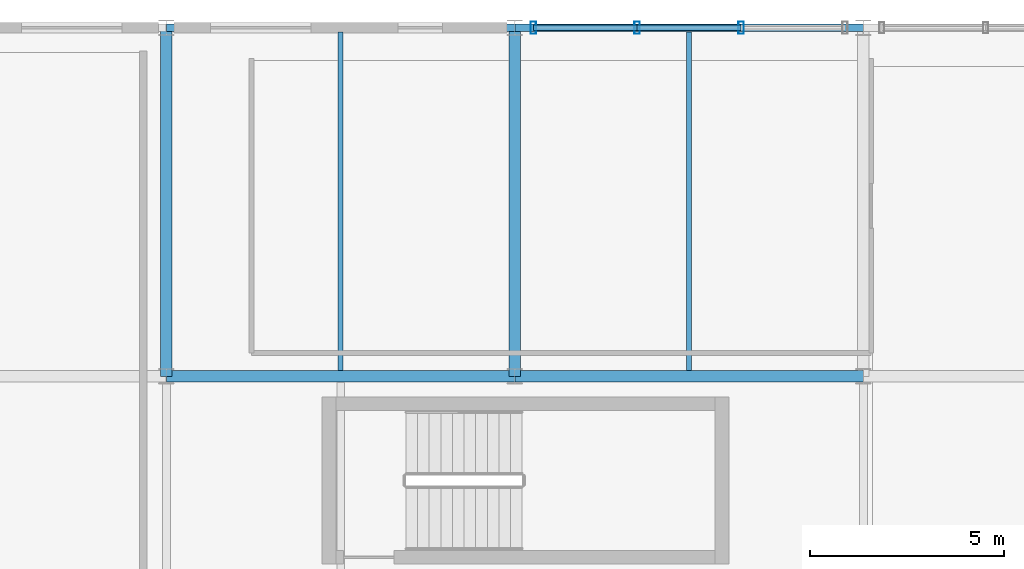
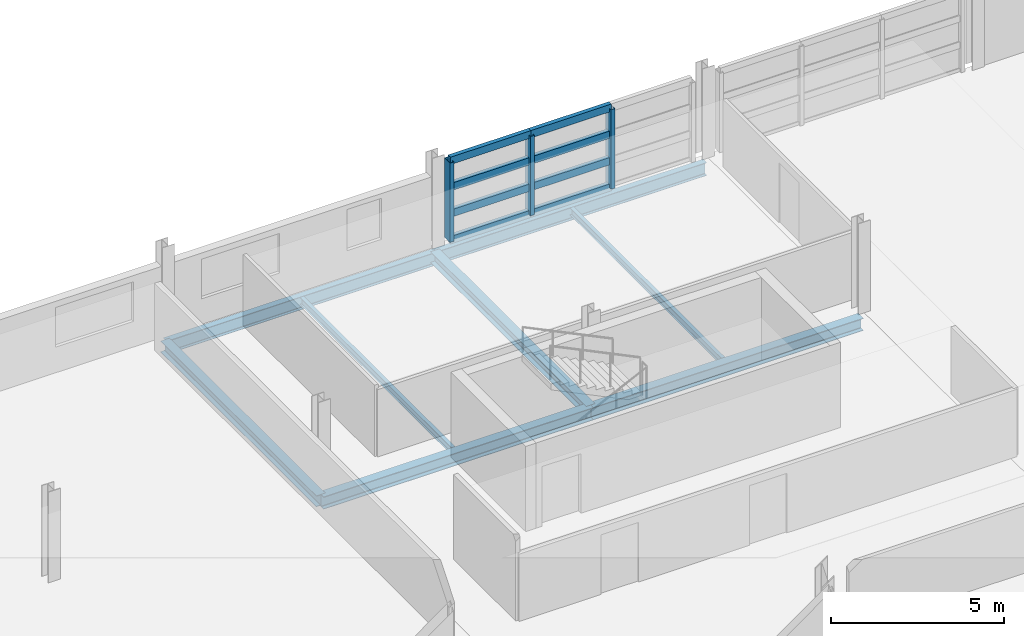
# One storey, part 51 of 86: 11 members, 8 beams, 1 element without a shape of its own.
"""IFC4 building model written with IfcOpenShell, lengths in metres."""

from ifc_helpers import new_model, si_unit, direction, frame, origin, origin_2d, place, context, subcontext, project, spatial, hollow_rectangle, i_section, extrude, material, material_profile, profile_set, type_object, element, aggregate, save


model = new_model("IFC4")

# Units and contexts
model_context = context("Model", 3, precision=1e-05, world=origin(), true_north=direction((0.0, 1.0)))
body_context = subcontext(model_context, "Body", "Model", "MODEL_VIEW")
ifc_project = project(units=[si_unit("LENGTHUNIT", "METRE"), si_unit("AREAUNIT", "SQUARE_METRE"), si_unit("VOLUMEUNIT", "CUBIC_METRE"), si_unit("PLANEANGLEUNIT", "RADIAN"), si_unit("MASSUNIT", "GRAM", prefix="KILO")], contexts=[model_context])

# Site, building, storey
site_placement = place(None, origin())
site = spatial("IfcSite", under=ifc_project, at=site_placement, CompositionType="ELEMENT")
building_placement = place(site_placement, origin())
building = spatial("IfcBuilding", under=site, at=building_placement, Name="Chuanluo Vaults Station", CompositionType="ELEMENT")
storey_placement = place(building_placement, frame((0.0, 0.0, 14.39990234375)))
storey = spatial("IfcBuildingStorey", under=building, at=storey_placement, Name="L03", CompositionType="ELEMENT", Elevation=14.39990234375)

# Beams
ifc_material_1 = material(Name="Steel Q355C", Category="steel")
ifc_material_profile_1 = material_profile(ifc_material_1, i_section(OverallWidth=0.300048828125, OverallDepth=0.389892578125, WebThickness=0.010009765625, FlangeThickness=0.01611328125, FilletRadius=0.02001953125, at=origin_2d()))
ifc_profile_set_1 = profile_set([ifc_material_profile_1], Name="Steel Q355C")
beam_type_1 = type_object("IfcBeamType", Name="BM-GRD-400", PredefinedType="BEAM", material=ifc_profile_set_1)
for number, where, z_axis, x_axis, name in (
    (1, (145.0, 117.0, -0.414794921875), (0.0, 1.0, 0.0), (-1.0, 0.0, 0.0), "Floor girder BM:GY:L03:0794"),
    (2, (154.0, 117.0, -0.414794921875), (0.0, 1.0, 0.0), (-1.0, 0.0, 0.0), "Floor girder BM:GY:L03:0803"),
):
    element("IfcBeam", number, at=place(storey_placement, frame(where, z_axis=z_axis, x_axis=x_axis)), inside=storey, type_object=beam_type_1, Name=name, PredefinedType="BEAM", context=body_context, shape_type="SweptSolid", body=[
        extrude(i_section(OverallWidth=0.300048828125, OverallDepth=0.389892578125, WebThickness=0.010009765625, FlangeThickness=0.01611328125, FilletRadius=0.02001953125, at=origin_2d()), origin(), (0.0, 0.0, 1.0), 9.0),
    ])
ifc_material_2 = material(Name="Steel Q355C", Category="steel")
ifc_material_profile_2 = material_profile(ifc_material_2, i_section(OverallWidth=0.300048828125, OverallDepth=0.43994140625, WebThickness=0.010986328125, FlangeThickness=0.01806640625, FilletRadius=0.02001953125, at=origin_2d()))
ifc_profile_set_2 = profile_set([ifc_material_profile_2], Name="Steel Q355C")
beam_type_2 = type_object("IfcBeamType", Name="BM-GRD-450", PredefinedType="USERDEFINED", material=ifc_profile_set_2)
for number, where, z_axis, x_axis, name in (
    (3, (145.0, 117.0, -0.43994140625), (1.0, 0.0, 0.0), (0.0, 1.0, 0.0), "Floor girder BM:GX:L03:0764"),
    (4, (154.0, 117.0, -0.43994140625), (1.0, 0.0, 0.0), (0.0, 1.0, 0.0), "Floor girder BM:GX:L03:0765"),
):
    element("IfcBeam", number, at=place(storey_placement, frame(where, z_axis=z_axis, x_axis=x_axis)), inside=storey, type_object=beam_type_2, Name=name, ObjectType="GIRDER", PredefinedType="USERDEFINED", context=body_context, shape_type="SweptSolid", body=[
        extrude(i_section(OverallWidth=0.300048828125, OverallDepth=0.43994140625, WebThickness=0.010986328125, FlangeThickness=0.01806640625, FilletRadius=0.02001953125, at=origin_2d()), origin(), (0.0, 0.0, 1.0), 9.0),
    ])
ifc_material_3 = material(Name="Steel Q355C", Category="steel")
ifc_material_profile_3 = material_profile(ifc_material_3, i_section(OverallWidth=0.125, OverallDepth=0.25, WebThickness=0.006103515625, FlangeThickness=0.009033203125, FilletRadius=0.011962890625, at=origin_2d()))
ifc_profile_set_3 = profile_set([ifc_material_profile_3], Name="Steel Q355C")
beam_type_3 = type_object("IfcBeamType", Name="BM-SEC-250", PredefinedType="JOIST", material=ifc_profile_set_3)
for number, where, z_axis, x_axis, name in (
    (5, (149.5, 117.155029296875, -0.344970703125), (0.0, 1.0, 0.0), (-1.0, 0.0, 0.0), "Composite secondary joist 0243"),
    (6, (158.5, 117.155029296875, -0.344970703125), (0.0, 1.0, 0.0), (-1.0, 0.0, 0.0), "Composite secondary joist 0249"),
):
    element("IfcBeam", number, at=place(storey_placement, frame(where, z_axis=z_axis, x_axis=x_axis)), inside=storey, type_object=beam_type_3, Name=name, PredefinedType="JOIST", context=body_context, shape_type="SweptSolid", body=[
        extrude(i_section(OverallWidth=0.125, OverallDepth=0.25, WebThickness=0.006103515625, FlangeThickness=0.009033203125, FilletRadius=0.011962890625, at=origin_2d()), origin(), (0.0, 0.0, 1.0), 8.737548828125),
    ])
ifc_material_4 = material(Name="Steel Q355C", Category="steel")
ifc_material_profile_4 = material_profile(ifc_material_4, i_section(OverallWidth=0.205078125, OverallDepth=0.4599609375, WebThickness=0.009033203125, FlangeThickness=0.013916015625, FilletRadius=0.01611328125, at=origin_2d()))
ifc_profile_set_4 = profile_set([ifc_material_profile_4], Name="Steel Q355C")
beam_type_4 = type_object("IfcBeamType", Name="BM-SPN-450", PredefinedType="SPANDREL", material=ifc_profile_set_4)
for number, where, z_axis, x_axis, name in (
    (7, (145.0, 126.0, -0.449951171875), (1.0, 0.0, 0.0), (0.0, 1.0, 0.0), "Floor girder BM:GX:L03:0771"),
    (8, (154.0, 126.0, -0.449951171875), (1.0, 0.0, 0.0), (0.0, 1.0, 0.0), "Floor girder BM:GX:L03:0772"),
):
    element("IfcBeam", number, at=place(storey_placement, frame(where, z_axis=z_axis, x_axis=x_axis)), inside=storey, type_object=beam_type_4, Name=name, PredefinedType="SPANDREL", context=body_context, shape_type="SweptSolid", body=[
        extrude(i_section(OverallWidth=0.205078125, OverallDepth=0.4599609375, WebThickness=0.009033203125, FlangeThickness=0.013916015625, FilletRadius=0.01611328125, at=origin_2d()), origin(), (0.0, 0.0, 1.0), 9.0),
    ])

# Curtain wall, members
ifc_material_5 = material(Name="Anodised aluminium 6063-T6", Category="aluminium")
curtain_wall_type = type_object("IfcCurtainWallType", Name="CW-SYS-05", PredefinedType="NOTDEFINED", material=ifc_material_5)
curtain_wall_placement = place(storey_placement, origin())
curtain_wall = element("IfcCurtainWall", 9, at=curtain_wall_placement, inside=storey, type_object=curtain_wall_type, Name="Operations L03 facade CW", PredefinedType="NOTDEFINED")
ifc_material_6 = material(Name="Anodised aluminium 6063-T6", Category="aluminium")
ifc_material_profile_5 = material_profile(ifc_material_6, hollow_rectangle(XDim=0.139892578125, YDim=0.320068359375, WallThickness=0.008056640625, at=origin_2d()))
ifc_profile_set_5 = profile_set([ifc_material_profile_5], Name="Anodised aluminium 6063-T6")
member_type_1 = type_object("IfcMemberType", Name="CWM-220", PredefinedType="MULLION", material=ifc_profile_set_5)
member_1_placement = place(storey_placement, frame((154.47509765625, 126.0, 0.0), z_axis=(0.0, 0.0, 1.0), x_axis=(1.0, 0.0, 0.0)))
member_1 = element("IfcMember", 10, at=member_1_placement, type_object=member_type_1, Name="Operations L03 facade CW mullion 1", PredefinedType="MULLION", context=body_context, shape_type="SweptSolid", body=[
    extrude(hollow_rectangle(XDim=0.139892578125, YDim=0.320068359375, WallThickness=0.008056640625, at=origin_2d()), origin(), (0.0, 0.0, 1.0), 2.800048828125),
])
member_2_placement = place(storey_placement, frame((157.158203125, 126.0, 0.0), z_axis=(0.0, 0.0, 1.0), x_axis=(1.0, 0.0, 0.0)))
member_2 = element("IfcMember", 11, at=member_2_placement, type_object=member_type_1, Name="Operations L03 facade CW mullion 2", PredefinedType="MULLION", context=body_context, shape_type="SweptSolid", body=[
    extrude(hollow_rectangle(XDim=0.139892578125, YDim=0.320068359375, WallThickness=0.008056640625, at=origin_2d()), origin(), (0.0, 0.0, 1.0), 2.800048828125),
])
member_3_placement = place(storey_placement, frame((159.841796875, 126.0, 0.0), z_axis=(0.0, 0.0, 1.0), x_axis=(1.0, 0.0, 0.0)))
member_3 = element("IfcMember", 12, at=member_3_placement, type_object=member_type_1, Name="Operations L03 facade CW mullion 3", PredefinedType="MULLION", context=body_context, shape_type="SweptSolid", body=[
    extrude(hollow_rectangle(XDim=0.139892578125, YDim=0.320068359375, WallThickness=0.008056640625, at=origin_2d()), origin(), (0.0, 0.0, 1.0), 2.800048828125),
])
ifc_material_7 = material(Name="Anodised aluminium 6063-T6", Category="aluminium")
ifc_material_profile_6 = material_profile(ifc_material_7, hollow_rectangle(XDim=0.139892578125, YDim=0.260009765625, WallThickness=0.007080078125, at=origin_2d()))
ifc_profile_set_6 = profile_set([ifc_material_profile_6], Name="Anodised aluminium 6063-T6")
member_type_2 = type_object("IfcMemberType", Name="CWT-180", PredefinedType="USERDEFINED", material=ifc_profile_set_6)
member_4_placement = place(storey_placement, frame((154.47509765625, 126.0, 0.0), z_axis=(1.0, 0.0, 0.0), x_axis=(0.0, 1.0, 0.0)))
member_4 = element("IfcMember", 13, at=member_4_placement, type_object=member_type_2, Name="Operations L03 facade CW transom 1.1", ObjectType="TRANSOM", PredefinedType="USERDEFINED", context=body_context, shape_type="SweptSolid", body=[
    extrude(hollow_rectangle(XDim=0.139892578125, YDim=0.260009765625, WallThickness=0.007080078125, at=origin_2d()), origin(), (0.0, 0.0, 1.0), 2.68310546875),
])
member_5_placement = place(storey_placement, frame((154.47509765625, 126.0, 0.933349609375), z_axis=(1.0, 0.0, 0.0), x_axis=(0.0, 1.0, 0.0)))
member_5 = element("IfcMember", 14, at=member_5_placement, type_object=member_type_2, Name="Operations L03 facade CW transom 1.2", ObjectType="TRANSOM", PredefinedType="USERDEFINED", context=body_context, shape_type="SweptSolid", body=[
    extrude(hollow_rectangle(XDim=0.139892578125, YDim=0.260009765625, WallThickness=0.007080078125, at=origin_2d()), origin(), (0.0, 0.0, 1.0), 2.68310546875),
])
member_6_placement = place(storey_placement, frame((154.47509765625, 126.0, 1.86669921875), z_axis=(1.0, 0.0, 0.0), x_axis=(0.0, 1.0, 0.0)))
member_6 = element("IfcMember", 15, at=member_6_placement, type_object=member_type_2, Name="Operations L03 facade CW transom 1.3", ObjectType="TRANSOM", PredefinedType="USERDEFINED", context=body_context, shape_type="SweptSolid", body=[
    extrude(hollow_rectangle(XDim=0.139892578125, YDim=0.260009765625, WallThickness=0.007080078125, at=origin_2d()), origin(), (0.0, 0.0, 1.0), 2.68310546875),
])
member_7_placement = place(storey_placement, frame((154.47509765625, 126.0, 2.800048828125), z_axis=(1.0, 0.0, 0.0), x_axis=(0.0, 1.0, 0.0)))
member_7 = element("IfcMember", 16, at=member_7_placement, type_object=member_type_2, Name="Operations L03 facade CW transom 1.4", ObjectType="TRANSOM", PredefinedType="USERDEFINED", context=body_context, shape_type="SweptSolid", body=[
    extrude(hollow_rectangle(XDim=0.139892578125, YDim=0.260009765625, WallThickness=0.007080078125, at=origin_2d()), origin(), (0.0, 0.0, 1.0), 2.68310546875),
])
member_8_placement = place(storey_placement, frame((157.158203125, 126.0, 0.0), z_axis=(1.0, 0.0, 0.0), x_axis=(0.0, 1.0, 0.0)))
member_8 = element("IfcMember", 17, at=member_8_placement, type_object=member_type_2, Name="Operations L03 facade CW transom 2.1", ObjectType="TRANSOM", PredefinedType="USERDEFINED", context=body_context, shape_type="SweptSolid", body=[
    extrude(hollow_rectangle(XDim=0.139892578125, YDim=0.260009765625, WallThickness=0.007080078125, at=origin_2d()), origin(), (0.0, 0.0, 1.0), 2.68359375),
])
member_9_placement = place(storey_placement, frame((157.158203125, 126.0, 0.933349609375), z_axis=(1.0, 0.0, 0.0), x_axis=(0.0, 1.0, 0.0)))
member_9 = element("IfcMember", 18, at=member_9_placement, type_object=member_type_2, Name="Operations L03 facade CW transom 2.2", ObjectType="TRANSOM", PredefinedType="USERDEFINED", context=body_context, shape_type="SweptSolid", body=[
    extrude(hollow_rectangle(XDim=0.139892578125, YDim=0.260009765625, WallThickness=0.007080078125, at=origin_2d()), origin(), (0.0, 0.0, 1.0), 2.68359375),
])
member_10_placement = place(storey_placement, frame((157.158203125, 126.0, 1.86669921875), z_axis=(1.0, 0.0, 0.0), x_axis=(0.0, 1.0, 0.0)))
member_10 = element("IfcMember", 19, at=member_10_placement, type_object=member_type_2, Name="Operations L03 facade CW transom 2.3", ObjectType="TRANSOM", PredefinedType="USERDEFINED", context=body_context, shape_type="SweptSolid", body=[
    extrude(hollow_rectangle(XDim=0.139892578125, YDim=0.260009765625, WallThickness=0.007080078125, at=origin_2d()), origin(), (0.0, 0.0, 1.0), 2.68359375),
])
member_11_placement = place(storey_placement, frame((157.158203125, 126.0, 2.800048828125), z_axis=(1.0, 0.0, 0.0), x_axis=(0.0, 1.0, 0.0)))
member_11 = element("IfcMember", 20, at=member_11_placement, type_object=member_type_2, Name="Operations L03 facade CW transom 2.4", ObjectType="TRANSOM", PredefinedType="USERDEFINED", context=body_context, shape_type="SweptSolid", body=[
    extrude(hollow_rectangle(XDim=0.139892578125, YDim=0.260009765625, WallThickness=0.007080078125, at=origin_2d()), origin(), (0.0, 0.0, 1.0), 2.68359375),
])
aggregate(curtain_wall, [member_1, member_2, member_3, member_4, member_5, member_6, member_7, member_8, member_9, member_10, member_11])

save(model, "model.ifc")
